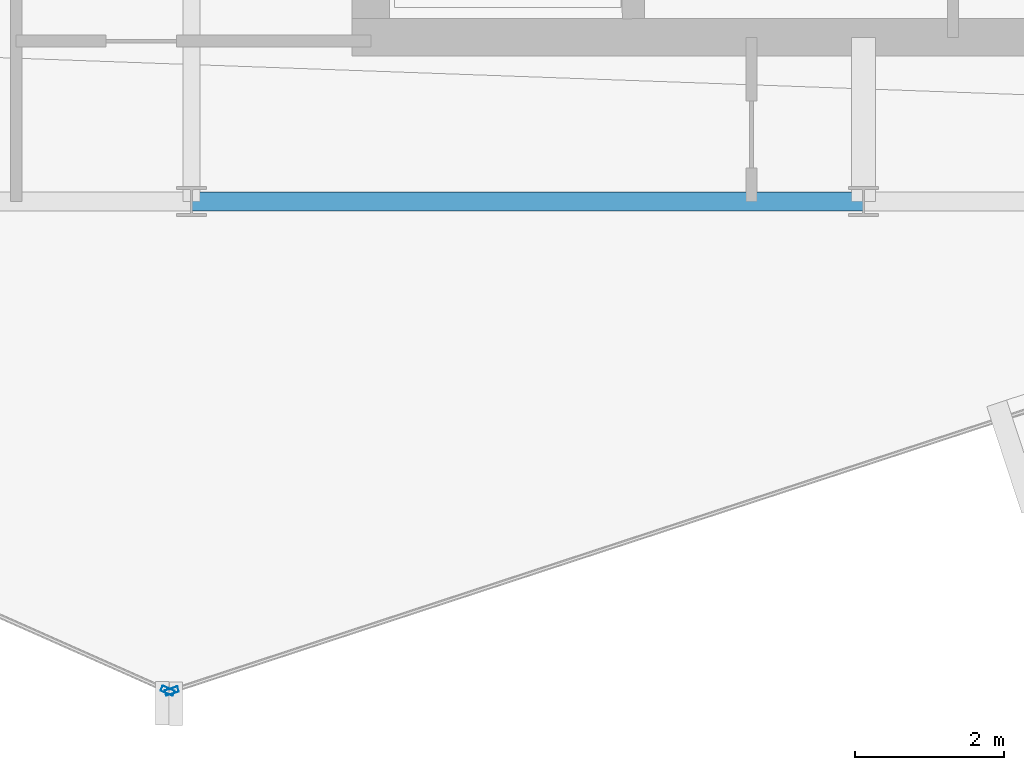
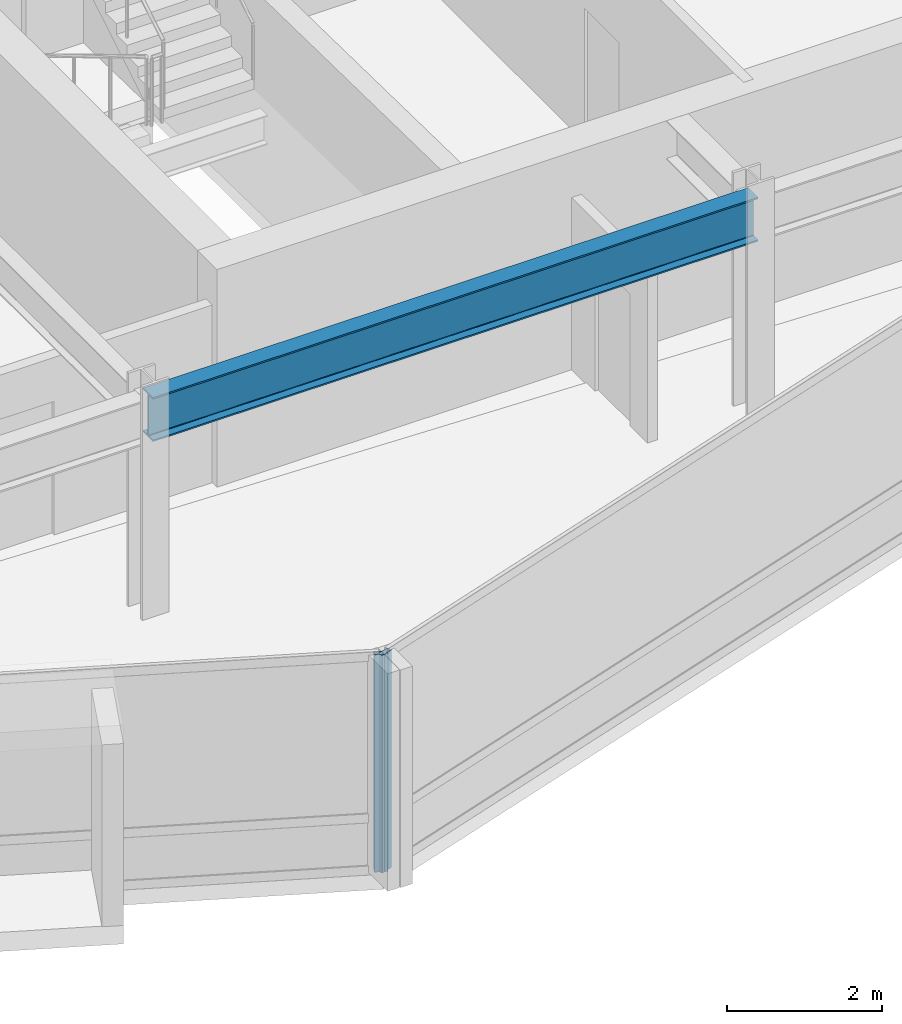
# One storey, part 4 of 28: 2 members, 1 beam, 2 elements without a shape of their own.
"""IFC4 building model written with IfcOpenShell, lengths in metres."""

from ifc_helpers import new_model, si_unit, direction, frame, origin, origin_2d, place, context, subcontext, project, spatial, hollow_rectangle, i_section, extrude, material, layer, layer_set, material_profile, profile_set, type_object, element, aggregate, save


model = new_model("IFC4")

# Units and contexts
model_context = context("Model", 3, precision=1e-05, world=origin(), true_north=direction((0.0, 1.0)))
body_context = subcontext(model_context, "Body", "Model", "MODEL_VIEW")
ifc_project = project(units=[si_unit("LENGTHUNIT", "METRE"), si_unit("AREAUNIT", "SQUARE_METRE"), si_unit("VOLUMEUNIT", "CUBIC_METRE"), si_unit("PLANEANGLEUNIT", "RADIAN"), si_unit("MASSUNIT", "GRAM", prefix="KILO")], contexts=[model_context])

# Site, building, storey
site_placement = place(None, origin())
site = spatial("IfcSite", under=ifc_project, at=site_placement, CompositionType="ELEMENT")
building_placement = place(site_placement, origin())
building = spatial("IfcBuilding", under=site, at=building_placement, Name="Solvaryn Broadcast Tower", CompositionType="ELEMENT")
storey_placement = place(building_placement, frame((0.0, 0.0, 209.89990234375)))
storey = spatial("IfcBuildingStorey", under=building, at=storey_placement, Name="L52", CompositionType="ELEMENT", Elevation=209.89990234375)

# Beam
ifc_material_1 = material(Name="Steel ASTM A992 Grade 50", Category="steel")
ifc_material_profile_1 = material_profile(ifc_material_1, i_section(OverallWidth=0.256103515625, OverallDepth=0.693115234375, WebThickness=0.014404296875, FlangeThickness=0.023681640625, FilletRadius=0.01611328125, at=origin_2d()))
ifc_profile_set_1 = profile_set([ifc_material_profile_1], Name="Steel ASTM A992 Grade 50")
beam_type = type_object("IfcBeamType", Name="BM-SP3-W27X114", PredefinedType="USERDEFINED", material=ifc_profile_set_1)
beam_placement = place(storey_placement, frame((27.0, 9.0, 3.073486328125), z_axis=(1.0, 0.0, 0.0), x_axis=(0.0, 1.0, 0.0)))
element("IfcBeam", 1, at=beam_placement, inside=storey, type_object=beam_type, Name="L52 Spandrel Beam X (27-36 @ Y=9)", ObjectType="SPANDREL", PredefinedType="USERDEFINED", context=body_context, shape_type="SweptSolid", body=[
    extrude(i_section(OverallWidth=0.256103515625, OverallDepth=0.693115234375, WebThickness=0.014404296875, FlangeThickness=0.023681640625, FilletRadius=0.01611328125, at=origin_2d()), origin(), (0.0, 0.0, 1.0), 9.0),
])

# Curtain wall, member
ifc_material_2 = material(Name="Aluminium and Terracotta Unitised Curtain Wall", Category="masonry")
ifc_layer = layer(ifc_material_2, 0.199951171875)
ifc_layer_set = layer_set([ifc_layer], Name="CW-SYS2-LOWMID")
curtain_wall_type = type_object("IfcCurtainWallType", Name="CW-SYS2-LOWMID", PredefinedType="NOTDEFINED", material=ifc_layer_set)
curtain_wall_1_placement = place(storey_placement, origin())
curtain_wall_1 = element("IfcCurtainWall", 2, at=curtain_wall_1_placement, inside=storey, type_object=curtain_wall_type, Name="L52 Curtain Wall DR3", PredefinedType="NOTDEFINED")
ifc_material_3 = material(Name="Anodised Aluminium 6063-T6", Category="aluminium")
ifc_material_profile_2 = material_profile(ifc_material_3, hollow_rectangle(XDim=0.074951171875, YDim=0.179931640625, WallThickness=0.00390625, InnerFilletRadius=0.00390625, OuterFilletRadius=0.008056640625, at=origin_2d()))
ifc_profile_set_2 = profile_set([ifc_material_profile_2], Name="Anodised Aluminium 6063-T6")
member_type = type_object("IfcMemberType", Name="CW-MUL-180", PredefinedType="MULLION", material=ifc_profile_set_2)
member_1_placement = place(storey_placement, frame((26.678466796875, 2.445068359375, 0.0), z_axis=(0.0, 0.0, 1.0), x_axis=(0.405901337237, 0.913916902365, 0.0)))
member_1 = element("IfcMember", 3, at=member_1_placement, type_object=member_type, Name="CWS2 mullion 2", PredefinedType="MULLION", context=body_context, shape_type="SweptSolid", body=[
    extrude(hollow_rectangle(XDim=0.074951171875, YDim=0.179931640625, WallThickness=0.00390625, InnerFilletRadius=0.00390625, OuterFilletRadius=0.008056640625, at=origin_2d()), origin(), (0.0, 0.0, 1.0), 3.420166015625),
])
aggregate(curtain_wall_1, [member_1])

curtain_wall_2_placement = place(storey_placement, origin())
curtain_wall_2 = element("IfcCurtainWall", 4, at=curtain_wall_2_placement, inside=storey, type_object=curtain_wall_type, Name="L52 Curtain Wall DR4", PredefinedType="NOTDEFINED")
member_2_placement = place(storey_placement, frame((26.734619140625, 2.4423828125, 0.0), z_axis=(0.0, 0.0, 1.0), x_axis=(-0.311558717623, 0.950226902099, 0.0)))
member_2 = element("IfcMember", 5, at=member_2_placement, type_object=member_type, Name="CWS2 mullion 1", PredefinedType="MULLION", context=body_context, shape_type="SweptSolid", body=[
    extrude(hollow_rectangle(XDim=0.074951171875, YDim=0.179931640625, WallThickness=0.00390625, InnerFilletRadius=0.00390625, OuterFilletRadius=0.008056640625, at=origin_2d()), origin(), (0.0, 0.0, 1.0), 3.420166015625),
])
aggregate(curtain_wall_2, [member_2])

save(model, "model.ifc")
